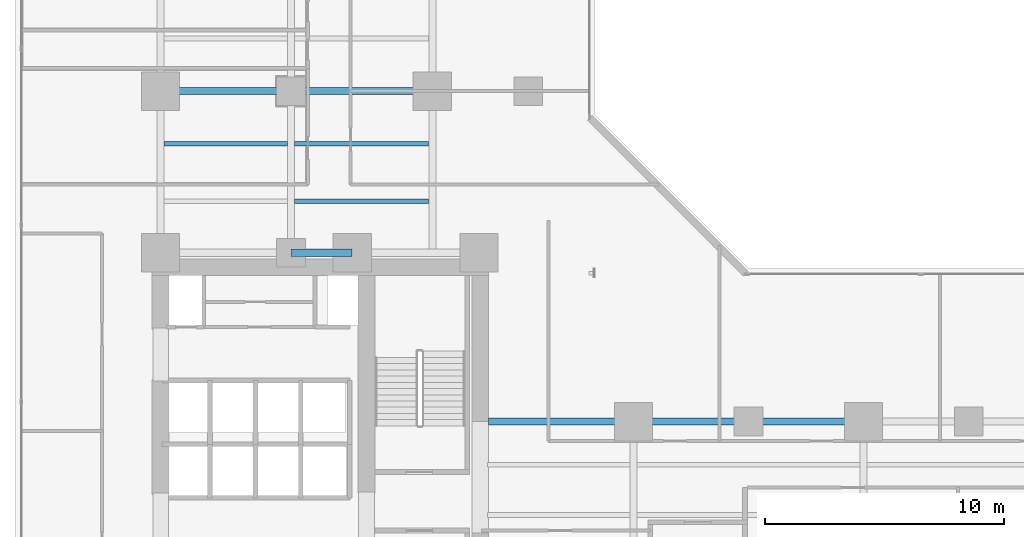
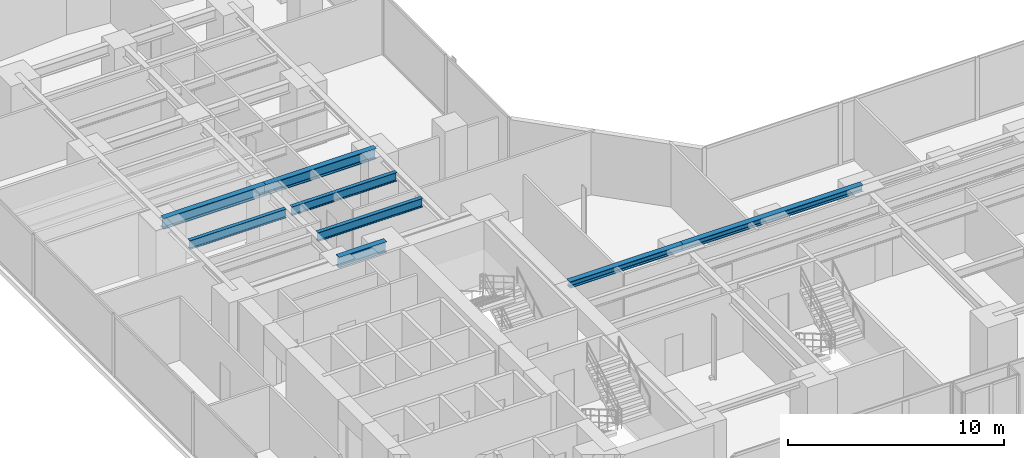
# One storey, part 7 of 30: 8 beams.
"""IFC4 building model written with IfcOpenShell, lengths in metres."""

import ifcopenshell
import ifcopenshell.guid

model = None  # the IFC model being written
_history = None  # IfcOwnerHistory: only IFC2X3 demands one
_inside = {}  # id of a spatial element -> (the spatial element, [elements in it])
_under = {}  # id of a project, library or spatial element -> (it, [spatial elements below it])
_declared = {}  # id of a project -> (the project, [libraries it declares])
_typed = {}  # id of a type object -> (the type object, [elements of that type])
_made_of = {}  # id of a material, layer set ... -> (it, [elements and type objects made of it])


def new_model(schema):
    """Start an empty IFC model of exactly this schema.

    Asked for "IFC4X3", IfcOpenShell would pick the latest addendum, in which some entities
    have other attributes; the version numbers below select the first issue.
    IFC2X3 requires an IfcOwnerHistory on every rooted entity: one is made here for all.
    """
    global model, _history
    if schema == "IFC4X3":
        model = ifcopenshell.file(schema_version=(4, 3, 0, 0))
    else:
        model = ifcopenshell.file(schema=schema)
    _inside.clear()
    _under.clear()
    _declared.clear()
    _typed.clear()
    _made_of.clear()
    _history = None
    if model.schema == "IFC2X3":
        org = make("IfcOrganization", Name="unknown")
        user = make(
            "IfcPersonAndOrganization",
            ThePerson=make("IfcPerson", FamilyName="unknown"),
            TheOrganization=org,
        )
        app = make(
            "IfcApplication",
            ApplicationDeveloper=org,
            Version="unknown",
            ApplicationFullName="unknown",
            ApplicationIdentifier="unknown",
        )
        _history = make(
            "IfcOwnerHistory",
            OwningUser=user,
            OwningApplication=app,
            ChangeAction="ADDED",
            CreationDate=0,
        )
    return model


def make(cls, **values):
    """One entity of the class cls with the attributes given. An attribute that is None is left unset."""
    return model.create_entity(
        cls, **{name: value for name, value in values.items() if value is not None}
    )


def rooted(cls, **values):
    """An entity with a GlobalId (a new one), such as an element, a storey or a relation."""
    return make(cls, GlobalId=ifcopenshell.guid.new(), OwnerHistory=_history, **values)


def si_unit(unit_type, name, prefix=None):
    """IfcSIUnit, for example si_unit("LENGTHUNIT", "METRE", prefix="MILLI")."""
    return make("IfcSIUnit", UnitType=unit_type, Prefix=prefix, Name=name)


def assignment(units):
    """IfcUnitAssignment: the units of a project."""
    return None if units is None else make("IfcUnitAssignment", Units=units)


def point(xyz):
    """IfcCartesianPoint."""
    return None if xyz is None else make("IfcCartesianPoint", Coordinates=xyz)


def direction(xyz):
    """IfcDirection."""
    return None if xyz is None else make("IfcDirection", DirectionRatios=xyz)


def frame(location, z_axis=None, x_axis=None):
    """IfcAxis2Placement3D, a coordinate frame: its origin and axes. An axis left out is left unset."""
    return make(
        "IfcAxis2Placement3D",
        Location=point(location),
        Axis=direction(z_axis),
        RefDirection=direction(x_axis),
    )


def frame_2d(location, x_axis=None):
    """IfcAxis2Placement2D, a coordinate frame in the plane: its origin and x axis."""
    return make(
        "IfcAxis2Placement2D", Location=point(location), RefDirection=direction(x_axis)
    )


def origin():
    """The frame at (0, 0, 0) with its axes left unset."""
    return frame((0.0, 0.0, 0.0))


def origin_2d():
    """The frame at (0, 0) in the plane with its x axis left unset."""
    return frame_2d((0.0, 0.0))


def place(relative_to, where):
    """IfcLocalPlacement: puts the frame where relative to a parent placement (None: the world)."""
    return make(
        "IfcLocalPlacement", PlacementRelTo=relative_to, RelativePlacement=where
    )


def context(
    kind, dimensions, precision=None, world=None, true_north=None, identifier=None
):
    """IfcGeometricRepresentationContext, for example the 3D "Model" context."""
    return make(
        "IfcGeometricRepresentationContext",
        ContextIdentifier=identifier,
        ContextType=kind,
        CoordinateSpaceDimension=dimensions,
        Precision=precision,
        WorldCoordinateSystem=world,
        TrueNorth=true_north,
    )


def subcontext(parent, identifier, kind, view, scale=None):
    """IfcGeometricRepresentationSubContext, for example "Body" below "Model"."""
    return make(
        "IfcGeometricRepresentationSubContext",
        ContextIdentifier=identifier,
        ContextType=kind,
        ParentContext=parent,
        TargetScale=scale,
        TargetView=view,
    )


def project(units=None, contexts=None):
    """IfcProject with its units and contexts."""
    return rooted(
        "IfcProject",
        Name="project",
        RepresentationContexts=contexts,
        UnitsInContext=assignment(units),
    )


def spatial(cls, under=None, at=None, **own):
    """A site, building, storey or space (cls), placed at a placement, below another one or the project."""
    s = rooted(cls, ObjectPlacement=at, **own)
    if under is not None:
        _under.setdefault(under.id(), (under, []))[1].append(s)
    return s


def profile(cls, at=None, kind="AREA", **sizes):
    """A parametric profile (cls). Its sizes go by their IFC names, for example OverallWidth=200.0."""
    return make(cls, ProfileType=kind, Position=at, **sizes)


def i_section(**sizes):
    """IfcIShapeProfileDef."""
    return profile("IfcIShapeProfileDef", **sizes)


def extrude(swept, where, along, depth):
    """IfcExtrudedAreaSolid: the profile swept, set in the frame where, extruded along a direction by depth."""
    return make(
        "IfcExtrudedAreaSolid",
        SweptArea=swept,
        Position=where,
        ExtrudedDirection=direction(along),
        Depth=depth,
    )


def shape(context_of_items, identifier, shape_type, items):
    """IfcShapeRepresentation: the items that make up one representation, for example the "Body"."""
    return make(
        "IfcShapeRepresentation",
        ContextOfItems=context_of_items,
        RepresentationIdentifier=identifier,
        RepresentationType=shape_type,
        Items=items,
    )


def material(Name=None, Category=None):
    """IfcMaterial."""
    return make("IfcMaterial", Name=Name, Category=Category)


def material_profile(
    of_material, cross_section, Name=None, Category=None, Priority=None
):
    """IfcMaterialProfile: a cross section and its material."""
    return make(
        "IfcMaterialProfile",
        Name=Name,
        Material=of_material,
        Profile=cross_section,
        Priority=Priority,
        Category=Category,
    )


def profile_set(profiles, Name=None, composite=None):
    """IfcMaterialProfileSet."""
    return make(
        "IfcMaterialProfileSet",
        Name=Name,
        MaterialProfiles=profiles,
        CompositeProfile=composite,
    )


def made_of(thing, what):
    """Note that an element or type object is made of a material, layer set ...; save() writes the relation."""
    if what is not None:
        _made_of.setdefault(what.id(), (what, []))[1].append(thing)
    return thing


def type_object(cls, material=None, **own):
    """A type object (cls), such as IfcWallType, which elements share."""
    return made_of(rooted(cls, **own), material)


def element(
    cls,
    number,
    at=None,
    inside=None,
    cuts=None,
    type_object=None,
    material=None,
    context=None,
    identifier="Body",
    shape_type=None,
    held_by="IfcProductDefinitionShape",
    body=None,
    shapes=None,
    **own,
):
    """One element of the class cls, such as IfcWall. Its Tag is "e" and its number.

    at: its placement. inside: the storey or other place that contains it. cuts: it is an
    opening in that element (IfcRelVoidsElement). A single representation is given by context,
    identifier, shape_type and body (its items); several are given by shapes. held_by: the class
    of the entity that holds the representations. save() writes the other relations.
    """
    e = rooted(cls, Tag="e%d" % number, ObjectPlacement=at, **own)
    if body is not None:
        shapes = [shape(context, identifier, shape_type, body)]
    if shapes is not None:
        e.Representation = make(held_by, Representations=shapes)
    if inside is not None:
        _inside.setdefault(inside.id(), (inside, []))[1].append(e)
    if cuts is not None:
        rooted(
            "IfcRelVoidsElement", RelatingBuildingElement=cuts, RelatedOpeningElement=e
        )
    if type_object is not None:
        _typed.setdefault(type_object.id(), (type_object, []))[1].append(e)
    return made_of(e, material)


def aggregate(whole, parts):
    """IfcRelAggregates: a whole, such as a stair, and the parts it consists of."""
    return rooted("IfcRelAggregates", RelatingObject=whole, RelatedObjects=parts)


def save(model, path):
    """Write the relations noted so far, then the file.

    IfcRelAggregates (storeys below a building ...), IfcRelContainedInSpatialStructure (elements
    in a storey), IfcRelDefinesByType, IfcRelAssociatesMaterial and IfcRelDeclares: one each for
    every whole, place, type object, material and project.
    """
    for whole, parts in _under.values():
        aggregate(whole, parts)
    for where, things in _inside.values():
        rooted(
            "IfcRelContainedInSpatialStructure",
            RelatedElements=things,
            RelatingStructure=where,
        )
    for kind, things in _typed.values():
        rooted("IfcRelDefinesByType", RelatedObjects=things, RelatingType=kind)
    for what, things in _made_of.values():
        rooted("IfcRelAssociatesMaterial", RelatedObjects=things, RelatingMaterial=what)
    for by, libraries in _declared.values():
        rooted("IfcRelDeclares", RelatingContext=by, RelatedDefinitions=libraries)
    model.write(path)


model = new_model("IFC4")

# Units and contexts
model_context = context("Model", 3, precision=1e-05, world=origin(), true_north=direction((0.0, 1.0)))
body_context = subcontext(model_context, "Body", "Model", "MODEL_VIEW")
ifc_project = project(units=[si_unit("LENGTHUNIT", "METRE"), si_unit("AREAUNIT", "SQUARE_METRE"), si_unit("VOLUMEUNIT", "CUBIC_METRE"), si_unit("PLANEANGLEUNIT", "RADIAN"), si_unit("MASSUNIT", "GRAM", prefix="KILO")], contexts=[model_context])

# Site, building, storey
site_placement = place(None, origin())
site = spatial("IfcSite", under=ifc_project, at=site_placement, CompositionType="ELEMENT")
building_placement = place(site_placement, origin())
building = spatial("IfcBuilding", under=site, at=building_placement, Name="Kolvaren Waterfront Exchange", CompositionType="ELEMENT")
storey_placement = place(building_placement, frame((0.0, 0.0, 52.39990234375)))
storey = spatial("IfcBuildingStorey", under=building, at=storey_placement, Name="L13", CompositionType="ELEMENT", Elevation=52.39990234375)

# Beams
ifc_material = material(Name="Steel S355", Category="steel")
ifc_material_profile_1 = material_profile(ifc_material, i_section(OverallWidth=0.300048828125, OverallDepth=0.360107421875, WebThickness=0.012451171875, FlangeThickness=0.0224609375, FilletRadius=0.027099609375, at=origin_2d()), Name="HEB360")
ifc_profile_set_1 = profile_set([ifc_material_profile_1], Name="Steel S355")
beam_type_1 = type_object("IfcBeamType", Name="STR-BM-HEB360", PredefinedType="SPANDREL", material=ifc_profile_set_1)
beam_1_placement = place(storey_placement, frame((21.14990234375, 17.39990234375, 3.360107421875), z_axis=(1.0, 0.0, 0.0), x_axis=(0.0, 1.0, 0.0)))
element("IfcBeam", 1, at=beam_1_placement, inside=storey, type_object=beam_type_1, Name="L13 east-arm spandrel N1", PredefinedType="SPANDREL", context=body_context, shape_type="SweptSolid", body=[
    extrude(i_section(OverallWidth=0.300048828125, OverallDepth=0.360107421875, WebThickness=0.012451171875, FlangeThickness=0.0224609375, FilletRadius=0.027099609375, at=origin_2d()), origin(), (0.0, 0.0, 1.0), 6.050048828125),
])
beam_2_placement = place(storey_placement, frame((27.199951171875, 17.39990234375, 3.360107421875), z_axis=(1.0, 0.0, 0.0), x_axis=(0.0, 1.0, 0.0)))
element("IfcBeam", 2, at=beam_2_placement, inside=storey, type_object=beam_type_1, Name="L13 east-arm spandrel N2", PredefinedType="SPANDREL", context=body_context, shape_type="SweptSolid", body=[
    extrude(i_section(OverallWidth=0.300048828125, OverallDepth=0.360107421875, WebThickness=0.012451171875, FlangeThickness=0.0224609375, FilletRadius=0.027099609375, at=origin_2d()), origin(), (0.0, 0.0, 1.0), 9.60009765625),
])
ifc_material_profile_2 = material_profile(ifc_material, i_section(OverallWidth=0.300048828125, OverallDepth=0.60009765625, WebThickness=0.015380859375, FlangeThickness=0.030029296875, FilletRadius=0.027099609375, at=origin_2d()), Name="HEB600")
ifc_profile_set_2 = profile_set([ifc_material_profile_2], Name="Steel S355")
beam_type_2 = type_object("IfcBeamType", Name="STR-BM-HEB600", PredefinedType="BEAM", material=ifc_profile_set_2)
beam_3_placement = place(storey_placement, frame((12.89990234375, 24.449951171875, 3.239990234375), z_axis=(1.0, 0.0, 0.0), x_axis=(0.0, 1.0, 0.0)))
element("IfcBeam", 3, at=beam_3_placement, inside=storey, type_object=beam_type_2, Name="L13 north-arm girder 1B", PredefinedType="BEAM", context=body_context, shape_type="SweptSolid", body=[
    extrude(i_section(OverallWidth=0.300048828125, OverallDepth=0.60009765625, WebThickness=0.015380859375, FlangeThickness=0.030029296875, FilletRadius=0.027099609375, at=origin_2d()), origin(), (0.0, 0.0, 1.0), 2.550048828125),
])
beam_4_placement = place(storey_placement, frame((7.449951171875, 31.199951171875, 3.239990234375), z_axis=(1.0, 0.0, 0.0), x_axis=(0.0, 1.0, 0.0)))
element("IfcBeam", 4, at=beam_4_placement, inside=storey, type_object=beam_type_2, Name="L13 north-arm girder 2A", PredefinedType="BEAM", context=body_context, shape_type="SweptSolid", body=[
    extrude(i_section(OverallWidth=0.300048828125, OverallDepth=0.60009765625, WebThickness=0.015380859375, FlangeThickness=0.030029296875, FilletRadius=0.027099609375, at=origin_2d()), origin(), (0.0, 0.0, 1.0), 5.449951171875),
])
beam_5_placement = place(storey_placement, frame((12.89990234375, 31.199951171875, 3.239990234375), z_axis=(1.0, 0.0, 0.0), x_axis=(0.0, 1.0, 0.0)))
element("IfcBeam", 5, at=beam_5_placement, inside=storey, type_object=beam_type_2, Name="L13 north-arm girder 2B", PredefinedType="BEAM", context=body_context, shape_type="SweptSolid", body=[
    extrude(i_section(OverallWidth=0.300048828125, OverallDepth=0.60009765625, WebThickness=0.015380859375, FlangeThickness=0.030029296875, FilletRadius=0.027099609375, at=origin_2d()), origin(), (0.0, 0.0, 1.0), 5.900146484375),
])
ifc_material_profile_3 = material_profile(ifc_material, i_section(OverallWidth=0.199951171875, OverallDepth=0.5, WebThickness=0.01025390625, FlangeThickness=0.01611328125, FilletRadius=0.02099609375, at=origin_2d()), Name="IPE500")
ifc_profile_set_3 = profile_set([ifc_material_profile_3], Name="Steel S355")
beam_type_3 = type_object("IfcBeamType", Name="STR-BM-IPE500", PredefinedType="JOIST", material=ifc_profile_set_3)
beam_6_placement = place(storey_placement, frame((13.052001953125, 26.60009765625, 3.2900390625), z_axis=(1.0, 0.0, 0.0), x_axis=(0.0, 1.0, 0.0)))
element("IfcBeam", 6, at=beam_6_placement, inside=storey, type_object=beam_type_3, Name="L13 north-arm composite joist 1B", PredefinedType="JOIST", context=body_context, shape_type="SweptSolid", body=[
    extrude(i_section(OverallWidth=0.199951171875, OverallDepth=0.5, WebThickness=0.01025390625, FlangeThickness=0.01611328125, FilletRadius=0.02099609375, at=origin_2d()), origin(), (0.0, 0.0, 1.0), 5.595947265625),
])
beam_7_placement = place(storey_placement, frame((7.60205078125, 29.0, 3.2900390625), z_axis=(1.0, 0.0, 0.0), x_axis=(0.0, 1.0, 0.0)))
element("IfcBeam", 7, at=beam_7_placement, inside=storey, type_object=beam_type_3, Name="L13 north-arm composite joist 2A", PredefinedType="JOIST", context=body_context, shape_type="SweptSolid", body=[
    extrude(i_section(OverallWidth=0.199951171875, OverallDepth=0.5, WebThickness=0.01025390625, FlangeThickness=0.01611328125, FilletRadius=0.02099609375, at=origin_2d()), origin(), (0.0, 0.0, 1.0), 5.14599609375),
])
beam_8_placement = place(storey_placement, frame((13.052001953125, 29.0, 3.2900390625), z_axis=(1.0, 0.0, 0.0), x_axis=(0.0, 1.0, 0.0)))
element("IfcBeam", 8, at=beam_8_placement, inside=storey, type_object=beam_type_3, Name="L13 north-arm composite joist 2B", PredefinedType="JOIST", context=body_context, shape_type="SweptSolid", body=[
    extrude(i_section(OverallWidth=0.199951171875, OverallDepth=0.5, WebThickness=0.01025390625, FlangeThickness=0.01611328125, FilletRadius=0.02099609375, at=origin_2d()), origin(), (0.0, 0.0, 1.0), 5.595947265625),
])

save(model, "model.ifc")
